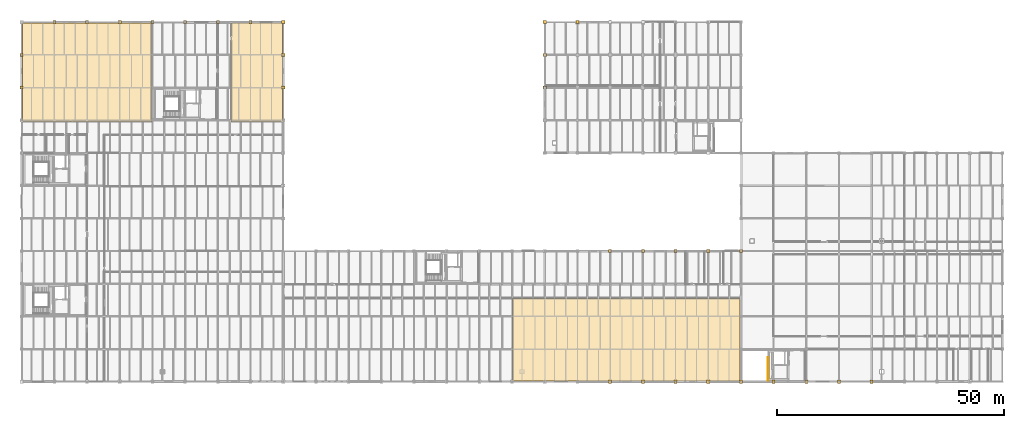
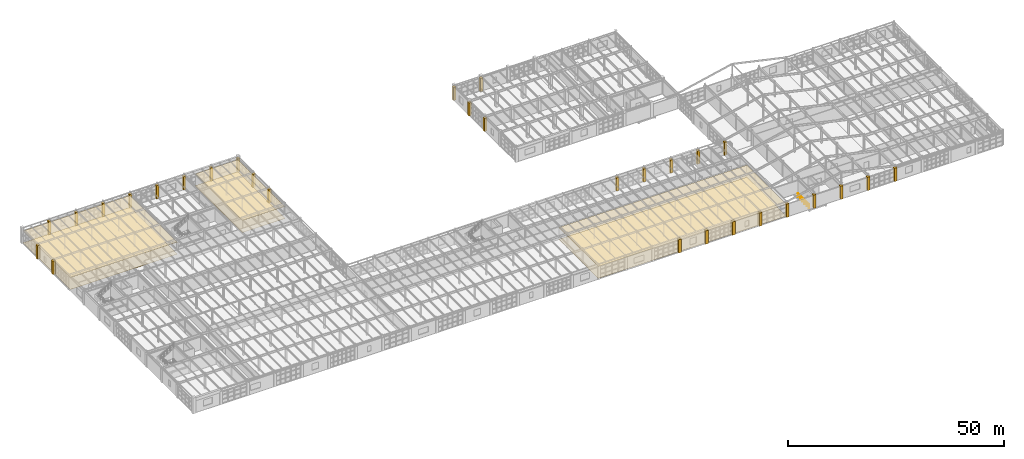
# One storey, part 136 of 137: 36 coverings, 1 railing.
"""IFC4 building model written with IfcOpenShell, lengths in metres."""

from ifc_helpers import new_model, si_unit, direction, frame, origin, origin_2d, place, context, subcontext, project, spatial, polyline, circle, outline, extrude, material, layer, layer_set, type_object, element, save


model = new_model("IFC4")

# Units and contexts
model_context = context("Model", 3, precision=1e-05, world=origin(), true_north=direction((0.0, 1.0)))
body_context = subcontext(model_context, "Body", "Model", "MODEL_VIEW")
ifc_project = project(units=[si_unit("LENGTHUNIT", "METRE"), si_unit("AREAUNIT", "SQUARE_METRE"), si_unit("VOLUMEUNIT", "CUBIC_METRE"), si_unit("PLANEANGLEUNIT", "RADIAN"), si_unit("MASSUNIT", "GRAM", prefix="KILO")], contexts=[model_context])

# Site, building, storey
site_placement = place(None, origin())
site = spatial("IfcSite", under=ifc_project, at=site_placement, CompositionType="ELEMENT")
building_placement = place(site_placement, origin())
building = spatial("IfcBuilding", under=site, at=building_placement, Name="Kemerveld Promenade Tramway Depot", CompositionType="ELEMENT")
storey_placement = place(building_placement, frame((0.0, 0.0, 5.39990234375)))
storey = spatial("IfcBuildingStorey", under=building, at=storey_placement, Name="L01", CompositionType="ELEMENT", Elevation=5.39990234375)

# Coverings
ifc_material_1 = material(Name="Perforated mineral-fibre acoustic ceiling")
ifc_layer_1 = layer(ifc_material_1, 0.02490234375)
ifc_layer_set_1 = layer_set([ifc_layer_1], Name="COV-CEIL-AC")
covering_type_1 = type_object("IfcCoveringType", Name="COV-CEIL-AC", PredefinedType="CEILING", material=ifc_layer_set_1)
covering_1_placement = place(storey_placement, frame((0.0, 0.0, 3.35498046875)))
element("IfcCovering", 1, at=covering_1_placement, inside=storey, type_object=covering_type_1, Name="CEIL-RM-L01-V4-GAL2", PredefinedType="CEILING", context=body_context, shape_type="SweptSolid", body=[
    extrude(outline(polyline([(108.050048828125, 0.14990234375), (158.246337890625, 0.14990234375), (158.246337890625, 18.320068359375), (108.050048828125, 18.320068359375), (108.050048828125, 0.14990234375)])), origin(), (0.0, 0.0, 1.0), 0.025146484375),
])
covering_2_placement = place(storey_placement, frame((0.0, 0.0, 3.35498046875)))
element("IfcCovering", 2, at=covering_2_placement, inside=storey, type_object=covering_type_1, Name="CEIL-RM-L01-V5-ADMIN", PredefinedType="CEILING", context=body_context, shape_type="SweptSolid", body=[
    extrude(outline(polyline([(0.14990234375, 57.25), (28.75, 57.25), (28.75, 79.050048828125), (0.14990234375, 79.050048828125), (0.14990234375, 57.25)])), origin(), (0.0, 0.0, 1.0), 0.025146484375),
])
covering_3_placement = place(storey_placement, frame((0.0, 0.0, 3.35498046875)))
element("IfcCovering", 3, at=covering_3_placement, inside=storey, type_object=covering_type_1, Name="CEIL-RM-L01-V5-RECS", PredefinedType="CEILING", context=body_context, shape_type="SweptSolid", body=[
    extrude(outline(polyline([(46.050048828125, 57.25), (57.449951171875, 57.25), (57.449951171875, 79.050048828125), (46.050048828125, 79.050048828125), (46.050048828125, 57.25)])), origin(), (0.0, 0.0, 1.0), 0.025146484375),
])
ifc_material_2 = material(Name="Dressed Harare granite ashlar cladding", Category="masonry")
ifc_layer_2 = layer(ifc_material_2, 0.050048828125)
ifc_layer_set_2 = layer_set([ifc_layer_2], Name="COV-CLAD-GRAN")
covering_type_2 = type_object("IfcCoveringType", Name="COV-CLAD-GRAN", PredefinedType="CLADDING", material=ifc_layer_set_2)
covering_4_placement = place(storey_placement, origin())
element("IfcCovering", 4, at=covering_4_placement, inside=storey, type_object=covering_type_2, Name="CLAD-PIER-L01-197", PredefinedType="CLADDING", context=body_context, shape_type="SweptSolid", body=[
    extrude(outline(polyline([(-0.340087890625, 64.4599609375), (0.340087890625, 64.4599609375), (0.340087890625, 65.139892578125), (-0.340087890625, 65.139892578125), (-0.340087890625, 64.4599609375)])), origin(), (0.0, 0.0, 1.0), 3.75),
])
covering_5_placement = place(storey_placement, origin())
element("IfcCovering", 5, at=covering_5_placement, inside=storey, type_object=covering_type_2, Name="CLAD-PIER-L01-198", PredefinedType="CLADDING", context=body_context, shape_type="SweptSolid", body=[
    extrude(outline(polyline([(-0.340087890625, 71.659912109375), (0.340087890625, 71.659912109375), (0.340087890625, 72.340087890625), (-0.340087890625, 72.340087890625), (-0.340087890625, 71.659912109375)])), origin(), (0.0, 0.0, 1.0), 3.75),
])
covering_6_placement = place(storey_placement, origin())
element("IfcCovering", 6, at=covering_6_placement, inside=storey, type_object=covering_type_2, Name="CLAD-PIER-L01-199", PredefinedType="CLADDING", context=body_context, shape_type="SweptSolid", body=[
    extrude(outline(polyline([(6.860107421875, 78.860107421875), (7.5400390625, 78.860107421875), (7.5400390625, 79.5400390625), (6.860107421875, 79.5400390625), (6.860107421875, 78.860107421875)])), origin(), (0.0, 0.0, 1.0), 3.75),
])
covering_7_placement = place(storey_placement, origin())
element("IfcCovering", 7, at=covering_7_placement, inside=storey, type_object=covering_type_2, Name="CLAD-PIER-L01-200", PredefinedType="CLADDING", context=body_context, shape_type="SweptSolid", body=[
    extrude(outline(polyline([(14.06005859375, 78.860107421875), (14.739990234375, 78.860107421875), (14.739990234375, 79.5400390625), (14.06005859375, 79.5400390625), (14.06005859375, 78.860107421875)])), origin(), (0.0, 0.0, 1.0), 3.75),
])
covering_8_placement = place(storey_placement, origin())
element("IfcCovering", 8, at=covering_8_placement, inside=storey, type_object=covering_type_2, Name="CLAD-PIER-L01-201", PredefinedType="CLADDING", context=body_context, shape_type="SweptSolid", body=[
    extrude(outline(polyline([(21.260009765625, 78.860107421875), (21.93994140625, 78.860107421875), (21.93994140625, 79.5400390625), (21.260009765625, 79.5400390625), (21.260009765625, 78.860107421875)])), origin(), (0.0, 0.0, 1.0), 3.75),
])
covering_9_placement = place(storey_placement, origin())
element("IfcCovering", 9, at=covering_9_placement, inside=storey, type_object=covering_type_2, Name="CLAD-PIER-L01-202", PredefinedType="CLADDING", context=body_context, shape_type="SweptSolid", body=[
    extrude(outline(polyline([(28.4599609375, 78.860107421875), (29.139892578125, 78.860107421875), (29.139892578125, 79.5400390625), (28.4599609375, 79.5400390625), (28.4599609375, 78.860107421875)])), origin(), (0.0, 0.0, 1.0), 3.75),
])
covering_10_placement = place(storey_placement, origin())
element("IfcCovering", 10, at=covering_10_placement, inside=storey, type_object=covering_type_2, Name="CLAD-PIER-L01-203", PredefinedType="CLADDING", context=body_context, shape_type="SweptSolid", body=[
    extrude(outline(polyline([(35.659912109375, 78.860107421875), (36.340087890625, 78.860107421875), (36.340087890625, 79.5400390625), (35.659912109375, 79.5400390625), (35.659912109375, 78.860107421875)])), origin(), (0.0, 0.0, 1.0), 3.75),
])
covering_11_placement = place(storey_placement, origin())
element("IfcCovering", 11, at=covering_11_placement, inside=storey, type_object=covering_type_2, Name="CLAD-PIER-L01-204", PredefinedType="CLADDING", context=body_context, shape_type="SweptSolid", body=[
    extrude(outline(polyline([(42.860107421875, 78.860107421875), (43.5400390625, 78.860107421875), (43.5400390625, 79.5400390625), (42.860107421875, 79.5400390625), (42.860107421875, 78.860107421875)])), origin(), (0.0, 0.0, 1.0), 3.75),
])
covering_12_placement = place(storey_placement, origin())
element("IfcCovering", 12, at=covering_12_placement, inside=storey, type_object=covering_type_2, Name="CLAD-PIER-L01-205", PredefinedType="CLADDING", context=body_context, shape_type="SweptSolid", body=[
    extrude(outline(polyline([(50.06005859375, 78.860107421875), (50.739990234375, 78.860107421875), (50.739990234375, 79.5400390625), (50.06005859375, 79.5400390625), (50.06005859375, 78.860107421875)])), origin(), (0.0, 0.0, 1.0), 3.75),
])
covering_13_placement = place(storey_placement, origin())
element("IfcCovering", 13, at=covering_13_placement, inside=storey, type_object=covering_type_2, Name="CLAD-PIER-L01-206", PredefinedType="CLADDING", context=body_context, shape_type="SweptSolid", body=[
    extrude(outline(polyline([(57.260009765625, 78.860107421875), (57.93994140625, 78.860107421875), (57.93994140625, 79.5400390625), (57.260009765625, 79.5400390625), (57.260009765625, 78.860107421875)])), origin(), (0.0, 0.0, 1.0), 3.75),
])
covering_14_placement = place(storey_placement, origin())
element("IfcCovering", 14, at=covering_14_placement, inside=storey, type_object=covering_type_2, Name="CLAD-PIER-L01-207", PredefinedType="CLADDING", context=body_context, shape_type="SweptSolid", body=[
    extrude(outline(polyline([(57.260009765625, 71.659912109375), (57.93994140625, 71.659912109375), (57.93994140625, 72.340087890625), (57.260009765625, 72.340087890625), (57.260009765625, 71.659912109375)])), origin(), (0.0, 0.0, 1.0), 3.75),
])
covering_15_placement = place(storey_placement, origin())
element("IfcCovering", 15, at=covering_15_placement, inside=storey, type_object=covering_type_2, Name="CLAD-PIER-L01-208", PredefinedType="CLADDING", context=body_context, shape_type="SweptSolid", body=[
    extrude(outline(polyline([(57.260009765625, 64.4599609375), (57.93994140625, 64.4599609375), (57.93994140625, 65.139892578125), (57.260009765625, 65.139892578125), (57.260009765625, 64.4599609375)])), origin(), (0.0, 0.0, 1.0), 3.75),
])
covering_16_placement = place(storey_placement, origin())
element("IfcCovering", 16, at=covering_16_placement, inside=storey, type_object=covering_type_2, Name="CLAD-PIER-L01-221", PredefinedType="CLADDING", context=body_context, shape_type="SweptSolid", body=[
    extrude(outline(polyline([(150.860107421875, -0.340087890625), (151.5400390625, -0.340087890625), (151.5400390625, 0.340087890625), (150.860107421875, 0.340087890625), (150.860107421875, -0.340087890625)])), origin(), (0.0, 0.0, 1.0), 3.75),
])
covering_17_placement = place(storey_placement, origin())
element("IfcCovering", 17, at=covering_17_placement, inside=storey, type_object=covering_type_2, Name="CLAD-PIER-L01-222", PredefinedType="CLADDING", context=body_context, shape_type="SweptSolid", body=[
    extrude(outline(polyline([(143.659912109375, -0.340087890625), (144.340087890625, -0.340087890625), (144.340087890625, 0.340087890625), (143.659912109375, 0.340087890625), (143.659912109375, -0.340087890625)])), origin(), (0.0, 0.0, 1.0), 3.75),
])
covering_18_placement = place(storey_placement, origin())
element("IfcCovering", 18, at=covering_18_placement, inside=storey, type_object=covering_type_2, Name="CLAD-PIER-L01-223", PredefinedType="CLADDING", context=body_context, shape_type="SweptSolid", body=[
    extrude(outline(polyline([(136.4599609375, -0.340087890625), (137.139892578125, -0.340087890625), (137.139892578125, 0.340087890625), (136.4599609375, 0.340087890625), (136.4599609375, -0.340087890625)])), origin(), (0.0, 0.0, 1.0), 3.75),
])
covering_19_placement = place(storey_placement, origin())
element("IfcCovering", 19, at=covering_19_placement, inside=storey, type_object=covering_type_2, Name="CLAD-PIER-L01-224", PredefinedType="CLADDING", context=body_context, shape_type="SweptSolid", body=[
    extrude(outline(polyline([(129.260009765625, -0.340087890625), (129.93994140625, -0.340087890625), (129.93994140625, 0.340087890625), (129.260009765625, 0.340087890625), (129.260009765625, -0.340087890625)])), origin(), (0.0, 0.0, 1.0), 3.75),
])
covering_20_placement = place(storey_placement, origin())
element("IfcCovering", 20, at=covering_20_placement, inside=storey, type_object=covering_type_2, Name="CLAD-PIER-L01-244", PredefinedType="CLADDING", context=body_context, shape_type="SweptSolid", body=[
    extrude(outline(polyline([(129.260009765625, 28.4599609375), (129.93994140625, 28.4599609375), (129.93994140625, 29.139892578125), (129.260009765625, 29.139892578125), (129.260009765625, 28.4599609375)])), origin(), (0.0, 0.0, 1.0), 3.75),
])
covering_21_placement = place(storey_placement, origin())
element("IfcCovering", 21, at=covering_21_placement, inside=storey, type_object=covering_type_2, Name="CLAD-PIER-L01-245", PredefinedType="CLADDING", context=body_context, shape_type="SweptSolid", body=[
    extrude(outline(polyline([(136.4599609375, 28.4599609375), (137.139892578125, 28.4599609375), (137.139892578125, 29.139892578125), (136.4599609375, 29.139892578125), (136.4599609375, 28.4599609375)])), origin(), (0.0, 0.0, 1.0), 3.75),
])
covering_22_placement = place(storey_placement, origin())
element("IfcCovering", 22, at=covering_22_placement, inside=storey, type_object=covering_type_2, Name="CLAD-PIER-L01-246", PredefinedType="CLADDING", context=body_context, shape_type="SweptSolid", body=[
    extrude(outline(polyline([(143.659912109375, 28.4599609375), (144.340087890625, 28.4599609375), (144.340087890625, 29.139892578125), (143.659912109375, 29.139892578125), (143.659912109375, 28.4599609375)])), origin(), (0.0, 0.0, 1.0), 3.75),
])
covering_23_placement = place(storey_placement, origin())
element("IfcCovering", 23, at=covering_23_placement, inside=storey, type_object=covering_type_2, Name="CLAD-PIER-L01-247", PredefinedType="CLADDING", context=body_context, shape_type="SweptSolid", body=[
    extrude(outline(polyline([(150.860107421875, 28.4599609375), (151.5400390625, 28.4599609375), (151.5400390625, 29.139892578125), (150.860107421875, 29.139892578125), (150.860107421875, 28.4599609375)])), origin(), (0.0, 0.0, 1.0), 3.75),
])
covering_24_placement = place(storey_placement, origin())
element("IfcCovering", 24, at=covering_24_placement, inside=storey, type_object=covering_type_2, Name="CLAD-PIER-L01-248", PredefinedType="CLADDING", context=body_context, shape_type="SweptSolid", body=[
    extrude(outline(polyline([(158.06005859375, 28.4599609375), (158.739990234375, 28.4599609375), (158.739990234375, 29.139892578125), (158.06005859375, 29.139892578125), (158.06005859375, 28.4599609375)])), origin(), (0.0, 0.0, 1.0), 3.75),
])
covering_25_placement = place(storey_placement, origin())
element("IfcCovering", 25, at=covering_25_placement, inside=storey, type_object=covering_type_2, Name="CLAD-PIER-L01-250", PredefinedType="CLADDING", context=body_context, shape_type="SweptSolid", body=[
    extrude(outline(polyline([(114.860107421875, 64.4599609375), (115.5400390625, 64.4599609375), (115.5400390625, 65.139892578125), (114.860107421875, 65.139892578125), (114.860107421875, 64.4599609375)])), origin(), (0.0, 0.0, 1.0), 3.75),
])
covering_26_placement = place(storey_placement, origin())
element("IfcCovering", 26, at=covering_26_placement, inside=storey, type_object=covering_type_2, Name="CLAD-PIER-L01-251", PredefinedType="CLADDING", context=body_context, shape_type="SweptSolid", body=[
    extrude(outline(polyline([(114.860107421875, 71.659912109375), (115.5400390625, 71.659912109375), (115.5400390625, 72.340087890625), (114.860107421875, 72.340087890625), (114.860107421875, 71.659912109375)])), origin(), (0.0, 0.0, 1.0), 3.75),
])
covering_27_placement = place(storey_placement, origin())
element("IfcCovering", 27, at=covering_27_placement, inside=storey, type_object=covering_type_2, Name="CLAD-PIER-L01-252", PredefinedType="CLADDING", context=body_context, shape_type="SweptSolid", body=[
    extrude(outline(polyline([(114.860107421875, 78.860107421875), (115.5400390625, 78.860107421875), (115.5400390625, 79.5400390625), (114.860107421875, 79.5400390625), (114.860107421875, 78.860107421875)])), origin(), (0.0, 0.0, 1.0), 3.75),
])
covering_28_placement = place(storey_placement, origin())
element("IfcCovering", 28, at=covering_28_placement, inside=storey, type_object=covering_type_2, Name="CLAD-PIER-L01-253", PredefinedType="CLADDING", context=body_context, shape_type="SweptSolid", body=[
    extrude(outline(polyline([(122.06005859375, 78.860107421875), (122.739990234375, 78.860107421875), (122.739990234375, 79.5400390625), (122.06005859375, 79.5400390625), (122.06005859375, 78.860107421875)])), origin(), (0.0, 0.0, 1.0), 3.75),
])
covering_29_placement = place(storey_placement, origin())
element("IfcCovering", 29, at=covering_29_placement, inside=storey, type_object=covering_type_2, Name="CLAD-PIER-L01-286", PredefinedType="CLADDING", context=body_context, shape_type="SweptSolid", body=[
    extrude(outline(polyline([(186.860107421875, -0.340087890625), (187.5400390625, -0.340087890625), (187.5400390625, 0.340087890625), (186.860107421875, 0.340087890625), (186.860107421875, -0.340087890625)])), origin(), (0.0, 0.0, 1.0), 3.75),
])
covering_30_placement = place(storey_placement, origin())
element("IfcCovering", 30, at=covering_30_placement, inside=storey, type_object=covering_type_2, Name="CLAD-PIER-L01-287", PredefinedType="CLADDING", context=body_context, shape_type="SweptSolid", body=[
    extrude(outline(polyline([(179.659912109375, -0.340087890625), (180.340087890625, -0.340087890625), (180.340087890625, 0.340087890625), (179.659912109375, 0.340087890625), (179.659912109375, -0.340087890625)])), origin(), (0.0, 0.0, 1.0), 3.75),
])
covering_31_placement = place(storey_placement, origin())
element("IfcCovering", 31, at=covering_31_placement, inside=storey, type_object=covering_type_2, Name="CLAD-PIER-L01-288", PredefinedType="CLADDING", context=body_context, shape_type="SweptSolid", body=[
    extrude(outline(polyline([(172.4599609375, -0.340087890625), (173.139892578125, -0.340087890625), (173.139892578125, 0.340087890625), (172.4599609375, 0.340087890625), (172.4599609375, -0.340087890625)])), origin(), (0.0, 0.0, 1.0), 3.75),
])
covering_32_placement = place(storey_placement, origin())
element("IfcCovering", 32, at=covering_32_placement, inside=storey, type_object=covering_type_2, Name="CLAD-PIER-L01-289", PredefinedType="CLADDING", context=body_context, shape_type="SweptSolid", body=[
    extrude(outline(polyline([(165.260009765625, -0.340087890625), (165.93994140625, -0.340087890625), (165.93994140625, 0.340087890625), (165.260009765625, 0.340087890625), (165.260009765625, -0.340087890625)])), origin(), (0.0, 0.0, 1.0), 3.75),
])
covering_33_placement = place(storey_placement, origin())
element("IfcCovering", 33, at=covering_33_placement, inside=storey, type_object=covering_type_2, Name="CLAD-PIER-L01-290", PredefinedType="CLADDING", context=body_context, shape_type="SweptSolid", body=[
    extrude(outline(polyline([(158.06005859375, -0.340087890625), (158.739990234375, -0.340087890625), (158.739990234375, 0.340087890625), (158.06005859375, 0.340087890625), (158.06005859375, -0.340087890625)])), origin(), (0.0, 0.0, 1.0), 3.75),
])
ifc_material_3 = material(Name="Honed Harare granite terrazzo flooring", Category="masonry")
ifc_layer_3 = layer(ifc_material_3, 0.02001953125)
ifc_layer_set_3 = layer_set([ifc_layer_3], Name="COV-FLR-TERR")
covering_type_3 = type_object("IfcCoveringType", Name="COV-FLR-TERR", PredefinedType="FLOORING", material=ifc_layer_set_3)
covering_34_placement = place(storey_placement, origin())
element("IfcCovering", 34, at=covering_34_placement, inside=storey, type_object=covering_type_3, Name="FLR-RM-L01-V4-GAL2", PredefinedType="FLOORING", context=body_context, shape_type="SweptSolid", body=[
    extrude(outline(polyline([(108.050048828125, 0.14990234375), (158.246337890625, 0.14990234375), (158.246337890625, 18.320068359375), (108.050048828125, 18.320068359375), (108.050048828125, 0.14990234375)])), origin(), (0.0, 0.0, 1.0), 0.02001953125),
])
covering_35_placement = place(storey_placement, origin())
element("IfcCovering", 35, at=covering_35_placement, inside=storey, type_object=covering_type_3, Name="FLR-RM-L01-V5-ADMIN", PredefinedType="FLOORING", context=body_context, shape_type="SweptSolid", body=[
    extrude(outline(polyline([(0.14990234375, 57.25), (28.75, 57.25), (28.75, 79.050048828125), (0.14990234375, 79.050048828125), (0.14990234375, 57.25)])), origin(), (0.0, 0.0, 1.0), 0.02001953125),
])
covering_36_placement = place(storey_placement, origin())
element("IfcCovering", 36, at=covering_36_placement, inside=storey, type_object=covering_type_3, Name="FLR-RM-L01-V5-RECS", PredefinedType="FLOORING", context=body_context, shape_type="SweptSolid", body=[
    extrude(outline(polyline([(46.050048828125, 57.25), (57.449951171875, 57.25), (57.449951171875, 79.050048828125), (46.050048828125, 79.050048828125), (46.050048828125, 57.25)])), origin(), (0.0, 0.0, 1.0), 0.02001953125),
])

# Railing
ifc_material_4 = material(Name="Galvanised painted steel balustrade", Category="steel")
railing_type = type_object("IfcRailingType", Name="RL-GRD-1100", PredefinedType="GUARDRAIL", material=ifc_material_4)
railing_placement = place(storey_placement, frame((164.35009765625, 0.280029296875, 0.0)))
element("IfcRailing", 37, at=railing_placement, inside=storey, type_object=railing_type, Name="RL-WELL-C5-L01", PredefinedType="GUARDRAIL", context=body_context, shape_type="SweptSolid", body=[
    extrude(circle(Radius=0.02392578125, at=origin_2d()), frame((0.0, 0.0, 1.09619140625), z_axis=(0.0, 1.0, 0.0), x_axis=(-1.0, 0.0, 0.0)), (0.0, 0.0, 1.0), 5.06494140625),
    extrude(circle(Radius=0.02099609375, at=origin_2d()), origin(), (0.0, 0.0, 1.0), 1.072021484375),
    extrude(circle(Radius=0.02099609375, at=origin_2d()), frame((0.0, 1.012939453125, 0.0)), (0.0, 0.0, 1.0), 1.072021484375),
    extrude(circle(Radius=0.02099609375, at=origin_2d()), frame((0.0, 2.02587890625, 0.0)), (0.0, 0.0, 1.0), 1.072021484375),
    extrude(circle(Radius=0.02099609375, at=origin_2d()), frame((0.0, 3.0390625, 0.0)), (0.0, 0.0, 1.0), 1.072021484375),
    extrude(circle(Radius=0.02099609375, at=origin_2d()), frame((0.0, 4.052001953125, 0.0)), (0.0, 0.0, 1.0), 1.072021484375),
    extrude(circle(Radius=0.02099609375, at=origin_2d()), frame((0.0, 5.06494140625, 0.0)), (0.0, 0.0, 1.0), 1.072021484375),
])

save(model, "model.ifc")
